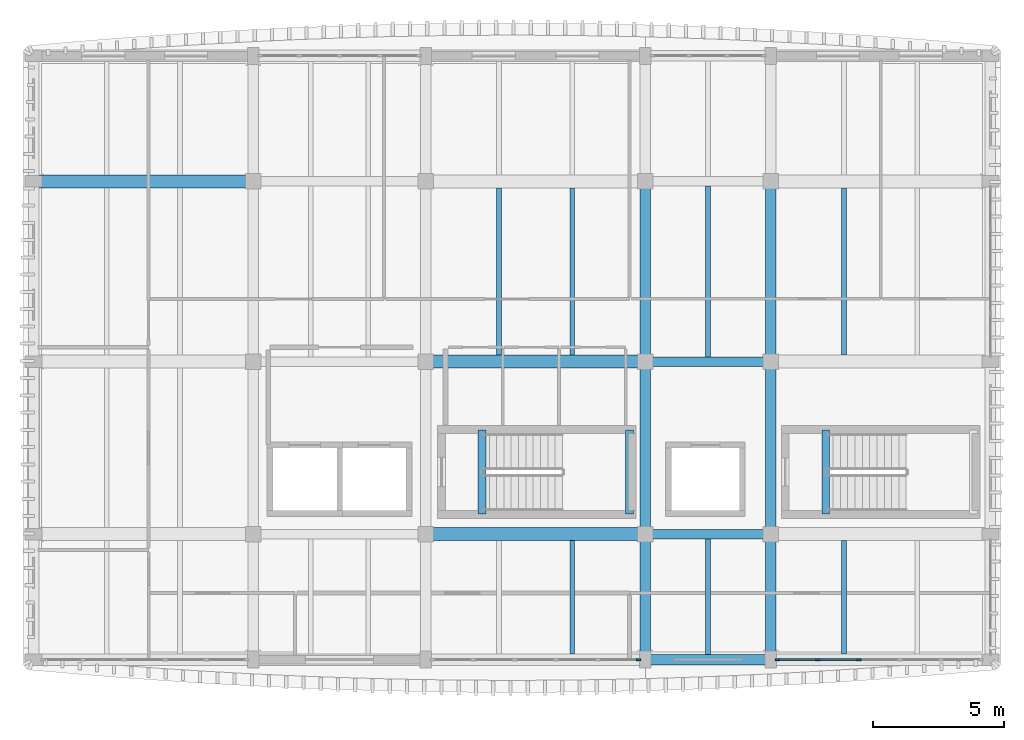
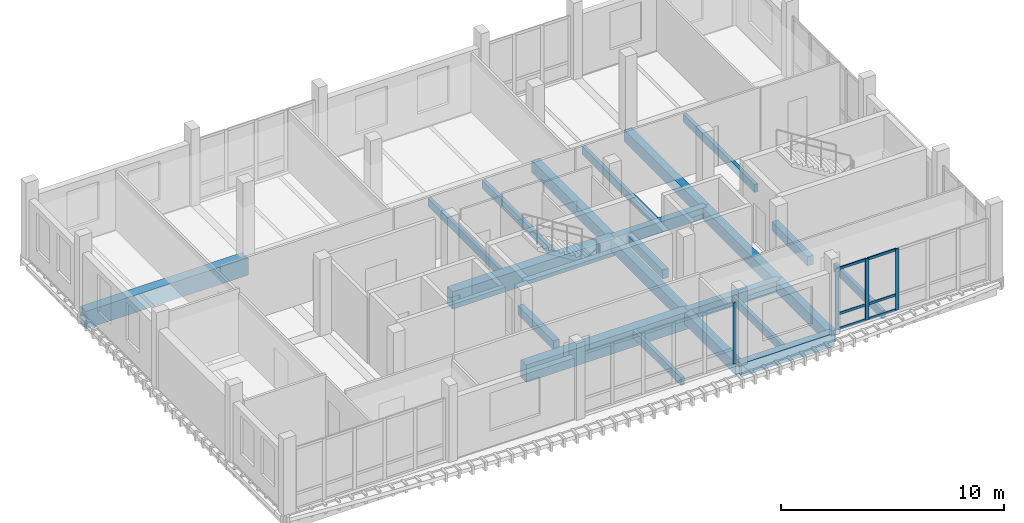
# One storey, part 3 of 16: 22 beams, 10 members, 2 elements without a shape of their own.
"""IFC4 building model written with IfcOpenShell, lengths in metres."""

from ifc_helpers import new_model, si_unit, direction, frame, origin, origin_2d, place, context, subcontext, project, spatial, rectangle, extrude, material, material_profile, profile_set, type_object, element, aggregate, save


model = new_model("IFC4")

# Units and contexts
model_context = context("Model", 3, precision=1e-05, world=origin(), true_north=direction((0.0, 1.0)))
body_context = subcontext(model_context, "Body", "Model", "MODEL_VIEW")
ifc_project = project(units=[si_unit("LENGTHUNIT", "METRE"), si_unit("AREAUNIT", "SQUARE_METRE"), si_unit("VOLUMEUNIT", "CUBIC_METRE"), si_unit("PLANEANGLEUNIT", "RADIAN"), si_unit("MASSUNIT", "GRAM", prefix="KILO")], contexts=[model_context])

# Site, building, storey
site_placement = place(None, origin())
site = spatial("IfcSite", under=ifc_project, at=site_placement, CompositionType="ELEMENT")
building_placement = place(site_placement, origin())
building = spatial("IfcBuilding", under=site, at=building_placement, Name="Dornvale Research Institute", CompositionType="ELEMENT")
storey_placement = place(building_placement, frame((0.0, 0.0, 38.39990234375)))
storey = spatial("IfcBuildingStorey", under=building, at=storey_placement, Name="L08", CompositionType="ELEMENT", Elevation=38.39990234375)

# Beams
ifc_material_1 = material(Name="Concrete f'c 45 MPa (C35/45)", Category="concrete")
ifc_material_profile_1 = material_profile(ifc_material_1, rectangle(XDim=0.300048828125, YDim=0.5, at=origin_2d()), Name="RC 300x500")
ifc_profile_set_1 = profile_set([ifc_material_profile_1], Name="Concrete f'c 45 MPa (C35/45)")
beam_type_1 = type_object("IfcBeamType", Name="Beam_RC300x500_Trim", PredefinedType="BEAM", material=ifc_profile_set_1)
for number, where, z_axis, x_axis, name in (
    (1, (21.949951171875, 104.580078125, -0.25), (0.0, 1.0, 0.0), (-1.0, 0.0, 0.0), "L08 ST-1 stair landing trimmer beam #9"),
    (2, (27.60009765625, 104.580078125, 1.650146484375), (0.0, 1.0, 0.0), (-1.0, 0.0, 0.0), "L08 ST-1 half-landing support beam #22"),
    (3, (35.10009765625, 104.580078125, -0.25), (0.0, 1.0, 0.0), (-1.0, 0.0, 0.0), "L08 ST-2 stair landing trimmer beam #32"),
):
    element("IfcBeam", number, at=place(storey_placement, frame(where, z_axis=z_axis, x_axis=x_axis)), inside=storey, type_object=beam_type_1, Name=name, PredefinedType="BEAM", context=body_context, shape_type="SweptSolid", body=[
        extrude(rectangle(XDim=0.300048828125, YDim=0.5, at=origin_2d()), origin(), (0.0, 0.0, 1.0), 3.199951171875),
    ])
ifc_material_2 = material(Name="Concrete f'c 45 MPa (C35/45)", Category="concrete")
ifc_material_profile_2 = material_profile(ifc_material_2, rectangle(XDim=0.35009765625, YDim=0.60009765625, at=origin_2d()), Name="RC 350x600")
ifc_profile_set_2 = profile_set([ifc_material_profile_2], Name="Concrete f'c 45 MPa (C35/45)")
beam_type_2 = type_object("IfcBeamType", Name="Beam_RC350x600_Floor", PredefinedType="BEAM", material=ifc_profile_set_2)
for number, where, z_axis, x_axis, name in (
    (4, (28.199951171875, 103.800048828125, -0.2998046875), (1.0, 0.0, 0.0), (0.0, 1.0, 0.0), "L08 primary girder #1670"),
    (5, (28.199951171875, 110.39990234375, -0.2998046875), (1.0, 0.0, 0.0), (0.0, 1.0, 0.0), "L08 primary girder #1675"),
):
    element("IfcBeam", number, at=place(storey_placement, frame(where, z_axis=z_axis, x_axis=x_axis)), inside=storey, type_object=beam_type_2, Name=name, PredefinedType="BEAM", context=body_context, shape_type="SweptSolid", body=[
        extrude(rectangle(XDim=0.35009765625, YDim=0.60009765625, at=origin_2d()), origin(), (0.0, 0.0, 1.0), 4.800048828125),
    ])
ifc_material_3 = material(Name="Concrete f'c 45 MPa (C35/45)", Category="concrete")
ifc_material_profile_3 = material_profile(ifc_material_3, rectangle(XDim=0.39990234375, YDim=0.64990234375, at=origin_2d()), Name="RC 400x650")
ifc_profile_set_3 = profile_set([ifc_material_profile_3], Name="Concrete f'c 45 MPa (C35/45)")
beam_type_3 = type_object("IfcBeamType", Name="Beam_RC400x650_Floor", PredefinedType="BEAM", material=ifc_profile_set_3)
beam_1_placement = place(storey_placement, frame((28.199951171875, 99.0, -0.324951171875), z_axis=(0.0, 1.0, 0.0), x_axis=(-1.0, 0.0, 0.0)))
element("IfcBeam", 6, at=beam_1_placement, inside=storey, type_object=beam_type_3, Name="L08 transverse girder #1699", PredefinedType="BEAM", context=body_context, shape_type="SweptSolid", body=[
    extrude(rectangle(XDim=0.39990234375, YDim=0.64990234375, at=origin_2d()), origin(), (0.0, 0.0, 1.0), 4.800048828125),
])
beam_2_placement = place(storey_placement, frame((28.199951171875, 103.800048828125, -0.324951171875), z_axis=(0.0, 1.0, 0.0), x_axis=(-1.0, 0.0, 0.0)))
element("IfcBeam", 7, at=beam_2_placement, inside=storey, type_object=beam_type_3, Name="L08 transverse girder #1700", PredefinedType="BEAM", context=body_context, shape_type="SweptSolid", body=[
    extrude(rectangle(XDim=0.39990234375, YDim=0.64990234375, at=origin_2d()), origin(), (0.0, 0.0, 1.0), 6.599853515625),
])
beam_3_placement = place(storey_placement, frame((28.199951171875, 110.39990234375, -0.324951171875), z_axis=(0.0, 1.0, 0.0), x_axis=(-1.0, 0.0, 0.0)))
element("IfcBeam", 8, at=beam_3_placement, inside=storey, type_object=beam_type_3, Name="L08 transverse girder #1701", PredefinedType="BEAM", context=body_context, shape_type="SweptSolid", body=[
    extrude(rectangle(XDim=0.39990234375, YDim=0.64990234375, at=origin_2d()), origin(), (0.0, 0.0, 1.0), 6.900146484375),
])
beam_4_placement = place(storey_placement, frame((33.0, 99.0, -0.324951171875), z_axis=(0.0, 1.0, 0.0), x_axis=(-1.0, 0.0, 0.0)))
element("IfcBeam", 9, at=beam_4_placement, inside=storey, type_object=beam_type_3, Name="L08 transverse girder #1703", PredefinedType="BEAM", context=body_context, shape_type="SweptSolid", body=[
    extrude(rectangle(XDim=0.39990234375, YDim=0.64990234375, at=origin_2d()), origin(), (0.0, 0.0, 1.0), 4.800048828125),
])
beam_5_placement = place(storey_placement, frame((33.0, 103.800048828125, -0.324951171875), z_axis=(0.0, 1.0, 0.0), x_axis=(-1.0, 0.0, 0.0)))
element("IfcBeam", 10, at=beam_5_placement, inside=storey, type_object=beam_type_3, Name="L08 transverse girder #1704", PredefinedType="BEAM", context=body_context, shape_type="SweptSolid", body=[
    extrude(rectangle(XDim=0.39990234375, YDim=0.64990234375, at=origin_2d()), origin(), (0.0, 0.0, 1.0), 6.599853515625),
])
beam_6_placement = place(storey_placement, frame((33.0, 110.39990234375, -0.324951171875), z_axis=(0.0, 1.0, 0.0), x_axis=(-1.0, 0.0, 0.0)))
element("IfcBeam", 11, at=beam_6_placement, inside=storey, type_object=beam_type_3, Name="L08 transverse girder #1705", PredefinedType="BEAM", context=body_context, shape_type="SweptSolid", body=[
    extrude(rectangle(XDim=0.39990234375, YDim=0.64990234375, at=origin_2d()), origin(), (0.0, 0.0, 1.0), 6.900146484375),
])
ifc_material_4 = material(Name="Concrete f'c 45 MPa (C35/45)", Category="concrete")
ifc_material_profile_4 = material_profile(ifc_material_4, rectangle(XDim=0.5, YDim=0.949951171875, at=origin_2d()), Name="RC 500x950")
ifc_profile_set_4 = profile_set([ifc_material_profile_4], Name="Concrete f'c 45 MPa (C35/45)")
beam_type_4 = type_object("IfcBeamType", Name="Beam_RC500x950_Girder", PredefinedType="BEAM", material=ifc_profile_set_4)
for number, where, z_axis, x_axis, name in (
    (12, (19.800048828125, 103.800048828125, -0.474853515625), (1.0, 0.0, 0.0), (0.0, 1.0, 0.0), "L08 primary girder #1669"),
    (13, (19.800048828125, 110.39990234375, -0.474853515625), (1.0, 0.0, 0.0), (0.0, 1.0, 0.0), "L08 primary girder #1674"),
    (14, (4.800048828125, 117.300048828125, -0.474853515625), (1.0, 0.0, 0.0), (0.0, 1.0, 0.0), "L08 primary girder #1677"),
):
    element("IfcBeam", number, at=place(storey_placement, frame(where, z_axis=z_axis, x_axis=x_axis)), inside=storey, type_object=beam_type_4, Name=name, PredefinedType="BEAM", context=body_context, shape_type="SweptSolid", body=[
        extrude(rectangle(XDim=0.5, YDim=0.949951171875, at=origin_2d()), origin(), (0.0, 0.0, 1.0), 8.39990234375),
    ])
ifc_material_5 = material(Name="Concrete f'c 45 MPa (C35/45)", Category="concrete")
ifc_material_profile_5 = material_profile(ifc_material_5, rectangle(XDim=0.179931640625, YDim=0.43505859375, at=origin_2d()), Name="RC 180x435")
ifc_profile_set_5 = profile_set([ifc_material_profile_5], Name="Concrete f'c 45 MPa (C35/45)")
beam_type_5 = type_object("IfcBeamType", Name="Joist_RC180x435_Rib", PredefinedType="JOIST", material=ifc_profile_set_5)
beam_7_placement = place(storey_placement, frame((25.39990234375, 99.22509765625, -0.21728515625), z_axis=(0.0, 1.0, 0.0), x_axis=(-1.0, 0.0, 0.0)))
element("IfcBeam", 15, at=beam_7_placement, inside=storey, type_object=beam_type_5, Name="L08 laboratory waffle joist #807", PredefinedType="JOIST", context=body_context, shape_type="SweptSolid", body=[
    extrude(rectangle(XDim=0.179931640625, YDim=0.43505859375, at=origin_2d()), origin(), (0.0, 0.0, 1.0), 4.324951171875),
])
for number, where, z_axis, x_axis, name in (
    (16, (22.60009765625, 110.64990234375, -0.21728515625), (0.0, 1.0, 0.0), (-1.0, 0.0, 0.0), "L08 laboratory waffle joist #808"),
    (17, (25.39990234375, 110.64990234375, -0.21728515625), (0.0, 1.0, 0.0), (-1.0, 0.0, 0.0), "L08 laboratory waffle joist #809"),
):
    element("IfcBeam", number, at=place(storey_placement, frame(where, z_axis=z_axis, x_axis=x_axis)), inside=storey, type_object=beam_type_5, Name=name, PredefinedType="JOIST", context=body_context, shape_type="SweptSolid", body=[
        extrude(rectangle(XDim=0.179931640625, YDim=0.43505859375, at=origin_2d()), origin(), (0.0, 0.0, 1.0), 6.400146484375),
    ])
beam_8_placement = place(storey_placement, frame((30.60009765625, 99.199951171875, -0.21728515625), z_axis=(0.0, 1.0, 0.0), x_axis=(-1.0, 0.0, 0.0)))
element("IfcBeam", 18, at=beam_8_placement, inside=storey, type_object=beam_type_5, Name="L08 laboratory waffle joist #812", PredefinedType="JOIST", context=body_context, shape_type="SweptSolid", body=[
    extrude(rectangle(XDim=0.179931640625, YDim=0.43505859375, at=origin_2d()), origin(), (0.0, 0.0, 1.0), 4.425048828125),
])
beam_9_placement = place(storey_placement, frame((30.60009765625, 110.574951171875, -0.21728515625), z_axis=(0.0, 1.0, 0.0), x_axis=(-1.0, 0.0, 0.0)))
element("IfcBeam", 19, at=beam_9_placement, inside=storey, type_object=beam_type_5, Name="L08 laboratory waffle joist #813", PredefinedType="JOIST", context=body_context, shape_type="SweptSolid", body=[
    extrude(rectangle(XDim=0.179931640625, YDim=0.43505859375, at=origin_2d()), origin(), (0.0, 0.0, 1.0), 6.550048828125),
])
beam_10_placement = place(storey_placement, frame((35.800048828125, 99.22509765625, -0.21728515625), z_axis=(0.0, 1.0, 0.0), x_axis=(-1.0, 0.0, 0.0)))
element("IfcBeam", 20, at=beam_10_placement, inside=storey, type_object=beam_type_5, Name="L08 laboratory waffle joist #815", PredefinedType="JOIST", context=body_context, shape_type="SweptSolid", body=[
    extrude(rectangle(XDim=0.179931640625, YDim=0.43505859375, at=origin_2d()), origin(), (0.0, 0.0, 1.0), 4.324951171875),
])
beam_11_placement = place(storey_placement, frame((35.800048828125, 110.64990234375, -0.21728515625), z_axis=(0.0, 1.0, 0.0), x_axis=(-1.0, 0.0, 0.0)))
element("IfcBeam", 21, at=beam_11_placement, inside=storey, type_object=beam_type_5, Name="L08 laboratory waffle joist #817", PredefinedType="JOIST", context=body_context, shape_type="SweptSolid", body=[
    extrude(rectangle(XDim=0.179931640625, YDim=0.43505859375, at=origin_2d()), origin(), (0.0, 0.0, 1.0), 6.400146484375),
])

# Curtain wall, members
ifc_material_6 = material(Name="Low-E Argon Double Insulating Glazing Unit", Category="glass")
curtain_wall_type_1 = type_object("IfcCurtainWallType", Name="UnitisedCurtainWall_V5_7850x3350", PredefinedType="USERDEFINED", material=ifc_material_6)
curtain_wall_1_placement = place(storey_placement, origin())
curtain_wall_1 = element("IfcCurtainWall", 22, at=curtain_wall_1_placement, inside=storey, type_object=curtain_wall_type_1, Name="L08 V5 unitised curtain wall CW-37 #192", ObjectType="UNITISED CURTAIN WALL", PredefinedType="USERDEFINED")
ifc_material_7 = material(Name="Anodized Aluminum AA 6063-T6 Thermally Broken Frame", Category="aluminium")
ifc_material_profile_6 = material_profile(ifc_material_7, rectangle(XDim=0.06494140625, YDim=0.179931640625, at=origin_2d()), Name="ALU MULLION 65x180")
ifc_profile_set_6 = profile_set([ifc_material_profile_6], Name="Anodized Aluminum AA 6063-T6 Thermally Broken Frame")
member_type_1 = type_object("IfcMemberType", Name="Mullion_CW_65x180", PredefinedType="MULLION", material=ifc_profile_set_6)
member_1_placement = place(storey_placement, frame((36.364990234375, 99.0, 0.0), z_axis=(0.0, 0.0, 1.0), x_axis=(0.0, -1.0, 0.0)))
member_1 = element("IfcMember", 23, at=member_1_placement, type_object=member_type_1, Name="CW-37 mullion 4", PredefinedType="MULLION", context=body_context, shape_type="SweptSolid", body=[
    extrude(rectangle(XDim=0.06494140625, YDim=0.179931640625, at=origin_2d()), origin(), (0.0, 0.0, 1.0), 3.35009765625),
])
member_2_placement = place(storey_placement, frame((34.794921875, 99.0, 0.0), z_axis=(0.0, 0.0, 1.0), x_axis=(0.0, -1.0, 0.0)))
member_2 = element("IfcMember", 24, at=member_2_placement, type_object=member_type_1, Name="CW-37 mullion 5", PredefinedType="MULLION", context=body_context, shape_type="SweptSolid", body=[
    extrude(rectangle(XDim=0.06494140625, YDim=0.179931640625, at=origin_2d()), origin(), (0.0, 0.0, 1.0), 3.35009765625),
])
member_3_placement = place(storey_placement, frame((33.257568359375, 99.0, 0.0), z_axis=(0.0, 0.0, 1.0), x_axis=(0.0, -1.0, 0.0)))
member_3 = element("IfcMember", 25, at=member_3_placement, type_object=member_type_1, Name="CW-37 mullion 6", PredefinedType="MULLION", context=body_context, shape_type="SweptSolid", body=[
    extrude(rectangle(XDim=0.06494140625, YDim=0.179931640625, at=origin_2d()), origin(), (0.0, 0.0, 1.0), 3.35009765625),
])

# Curtain wall, member
ifc_material_8 = material(Name="Low-E Argon Double Insulating Glazing Unit", Category="glass")
curtain_wall_type_2 = type_object("IfcCurtainWallType", Name="UnitisedCurtainWall_V5_7950x3350", PredefinedType="USERDEFINED", material=ifc_material_8)
curtain_wall_2_placement = place(storey_placement, origin())
curtain_wall_2 = element("IfcCurtainWall", 26, at=curtain_wall_2_placement, inside=storey, type_object=curtain_wall_type_2, Name="L08 V5 unitised curtain wall CW-38 #193", ObjectType="UNITISED CURTAIN WALL", PredefinedType="USERDEFINED")
member_4_placement = place(storey_placement, frame((27.9423828125, 99.0, 0.0), z_axis=(0.0, 0.0, 1.0), x_axis=(0.0, -1.0, 0.0)))
member_4 = element("IfcMember", 27, at=member_4_placement, type_object=member_type_1, Name="CW-38 mullion 1", PredefinedType="MULLION", context=body_context, shape_type="SweptSolid", body=[
    extrude(rectangle(XDim=0.06494140625, YDim=0.179931640625, at=origin_2d()), origin(), (0.0, 0.0, 1.0), 3.35009765625),
])
aggregate(curtain_wall_2, [member_4])

# Beam
ifc_material_9 = material(Name="Concrete f'c 45 MPa (C35/45)", Category="concrete")
ifc_material_profile_7 = material_profile(ifc_material_9, rectangle(XDim=0.39990234375, YDim=0.699951171875, at=origin_2d()), Name="RC 400x700")
ifc_profile_set_7 = profile_set([ifc_material_profile_7], Name="Concrete f'c 45 MPa (C35/45)")
beam_type_6 = type_object("IfcBeamType", Name="Spandrel_RC400x700_Ext", PredefinedType="SPANDREL", material=ifc_profile_set_7)
beam_12_placement = place(storey_placement, frame((28.199951171875, 99.0, -0.349853515625), z_axis=(1.0, 0.0, 0.0), x_axis=(0.0, 1.0, 0.0)))
element("IfcBeam", 28, at=beam_12_placement, inside=storey, type_object=beam_type_6, Name="L08 perimeter spandrel #1665", PredefinedType="SPANDREL", context=body_context, shape_type="SweptSolid", body=[
    extrude(rectangle(XDim=0.39990234375, YDim=0.699951171875, at=origin_2d()), origin(), (0.0, 0.0, 1.0), 4.800048828125),
])

# Member
ifc_material_10 = material(Name="Anodized Aluminum AA 6063-T6 Thermally Broken Frame", Category="aluminium")
ifc_material_profile_8 = material_profile(ifc_material_10, rectangle(XDim=0.06494140625, YDim=0.135009765625, at=origin_2d()), Name="ALU TRANSOM 65x135")
ifc_profile_set_8 = profile_set([ifc_material_profile_8], Name="Anodized Aluminum AA 6063-T6 Thermally Broken Frame")
member_type_2 = type_object("IfcMemberType", Name="Transom_CW_65x135", PredefinedType="USERDEFINED", material=ifc_profile_set_8)
member_5_placement = place(storey_placement, frame((36.33251953125, 99.0, 0.03271484375), z_axis=(-1.0, 0.0, 0.0), x_axis=(0.0, -1.0, 0.0)))
member_5 = element("IfcMember", 29, at=member_5_placement, type_object=member_type_2, Name="CW-37 transom 4.1", ObjectType="TRANSOM", PredefinedType="USERDEFINED", context=body_context, shape_type="SweptSolid", body=[
    extrude(rectangle(XDim=0.06494140625, YDim=0.135009765625, at=origin_2d()), origin(), (0.0, 0.0, 1.0), 1.505126953125),
])

member_6_placement = place(storey_placement, frame((36.33251953125, 99.0, 0.85009765625), z_axis=(-1.0, 0.0, 0.0), x_axis=(0.0, -1.0, 0.0)))
member_6 = element("IfcMember", 30, at=member_6_placement, type_object=member_type_2, Name="CW-37 transom 4.2", ObjectType="TRANSOM", PredefinedType="USERDEFINED", context=body_context, shape_type="SweptSolid", body=[
    extrude(rectangle(XDim=0.06494140625, YDim=0.135009765625, at=origin_2d()), origin(), (0.0, 0.0, 1.0), 1.505126953125),
])

member_7_placement = place(storey_placement, frame((36.33251953125, 99.0, 3.317626953125), z_axis=(-1.0, 0.0, 0.0), x_axis=(0.0, -1.0, 0.0)))
member_7 = element("IfcMember", 31, at=member_7_placement, type_object=member_type_2, Name="CW-37 transom 4.3", ObjectType="TRANSOM", PredefinedType="USERDEFINED", context=body_context, shape_type="SweptSolid", body=[
    extrude(rectangle(XDim=0.06494140625, YDim=0.135009765625, at=origin_2d()), origin(), (0.0, 0.0, 1.0), 1.505126953125),
])

member_8_placement = place(storey_placement, frame((34.762451171875, 99.0, 0.03271484375), z_axis=(-1.0, 0.0, 0.0), x_axis=(0.0, -1.0, 0.0)))
member_8 = element("IfcMember", 32, at=member_8_placement, type_object=member_type_2, Name="CW-37 transom 5.1", ObjectType="TRANSOM", PredefinedType="USERDEFINED", context=body_context, shape_type="SweptSolid", body=[
    extrude(rectangle(XDim=0.06494140625, YDim=0.135009765625, at=origin_2d()), origin(), (0.0, 0.0, 1.0), 1.472412109375),
])

member_9_placement = place(storey_placement, frame((34.762451171875, 99.0, 0.85009765625), z_axis=(-1.0, 0.0, 0.0), x_axis=(0.0, -1.0, 0.0)))
member_9 = element("IfcMember", 33, at=member_9_placement, type_object=member_type_2, Name="CW-37 transom 5.2", ObjectType="TRANSOM", PredefinedType="USERDEFINED", context=body_context, shape_type="SweptSolid", body=[
    extrude(rectangle(XDim=0.06494140625, YDim=0.135009765625, at=origin_2d()), origin(), (0.0, 0.0, 1.0), 1.472412109375),
])

member_10_placement = place(storey_placement, frame((34.762451171875, 99.0, 3.317626953125), z_axis=(-1.0, 0.0, 0.0), x_axis=(0.0, -1.0, 0.0)))
member_10 = element("IfcMember", 34, at=member_10_placement, type_object=member_type_2, Name="CW-37 transom 5.3", ObjectType="TRANSOM", PredefinedType="USERDEFINED", context=body_context, shape_type="SweptSolid", body=[
    extrude(rectangle(XDim=0.06494140625, YDim=0.135009765625, at=origin_2d()), origin(), (0.0, 0.0, 1.0), 1.472412109375),
])

aggregate(curtain_wall_1, [member_1, member_2, member_3, member_5, member_6, member_7, member_8, member_9, member_10])

save(model, "model.ifc")
